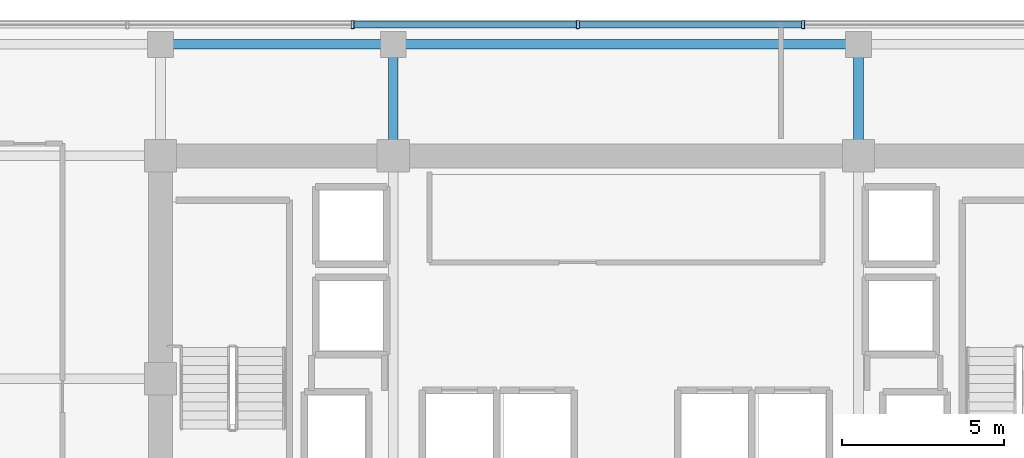
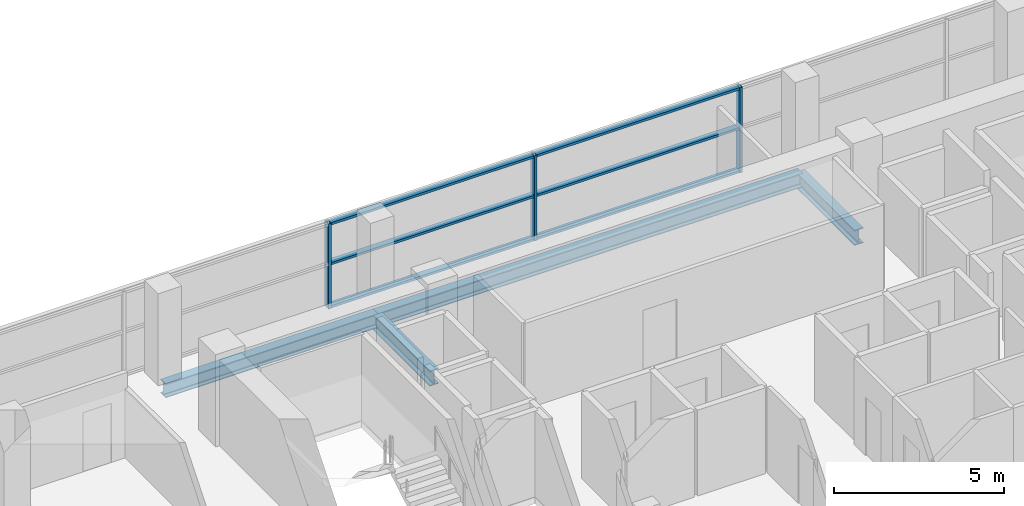
# One storey, part 11 of 23: 9 members, 4 beams, 1 element without a shape of its own.
"""IFC4 building model written with IfcOpenShell, lengths in metres."""

from ifc_helpers import new_model, si_unit, direction, frame, origin, origin_2d, place, context, subcontext, project, spatial, hollow_rectangle, i_section, extrude, source, transform, mapped, material, layer, layer_set, material_profile, profile_set, type_object, element, aggregate, save


model = new_model("IFC4")

# Units and contexts
model_context = context("Model", 3, precision=1e-05, world=origin(), true_north=direction((0.0, 1.0)))
body_context = subcontext(model_context, "Body", "Model", "MODEL_VIEW")
ifc_project = project(units=[si_unit("LENGTHUNIT", "METRE"), si_unit("AREAUNIT", "SQUARE_METRE"), si_unit("VOLUMEUNIT", "CUBIC_METRE"), si_unit("PLANEANGLEUNIT", "RADIAN"), si_unit("MASSUNIT", "GRAM", prefix="KILO")], contexts=[model_context])

# Site, building, storey
site_placement = place(None, origin())
site = spatial("IfcSite", under=ifc_project, at=site_placement, CompositionType="ELEMENT")
building_placement = place(site_placement, origin())
building = spatial("IfcBuilding", under=site, at=building_placement, Name="Zarnakvel Exchange Tower", CompositionType="ELEMENT")
storey_placement = place(building_placement, frame((0.0, 0.0, 129.699951171875)))
storey = spatial("IfcBuildingStorey", under=building, at=storey_placement, Name="L36", CompositionType="ELEMENT", Elevation=129.699951171875)

# Beams
ifc_material_1 = material(Name="Steel S355", Category="steel")
ifc_material_profile_1 = material_profile(ifc_material_1, i_section(OverallWidth=0.300048828125, OverallDepth=0.550048828125, WebThickness=0.014892578125, FlangeThickness=0.029052734375, FilletRadius=0.027099609375, at=origin_2d()))
ifc_profile_set_1 = profile_set([ifc_material_profile_1], Name="Steel S355")
beam_type_1 = type_object("IfcBeamType", Name="G-05", PredefinedType="BEAM", material=ifc_profile_set_1)
for number, where, z_axis, x_axis, name in (
    (1, (-7.199951171875, 13.5, -0.5), (0.0, 1.0, 0.0), (-1.0, 0.0, 0.0), "L36 Tower N-S Frame Beam"),
    (2, (7.199951171875, 13.5, -0.5), (0.0, 1.0, 0.0), (-1.0, 0.0, 0.0), "L36 Tower N-S Frame Beam"),
):
    element("IfcBeam", number, at=place(storey_placement, frame(where, z_axis=z_axis, x_axis=x_axis)), inside=storey, type_object=beam_type_1, Name=name, PredefinedType="BEAM", context=body_context, shape_type="SweptSolid", body=[
        extrude(i_section(OverallWidth=0.300048828125, OverallDepth=0.550048828125, WebThickness=0.014892578125, FlangeThickness=0.029052734375, FilletRadius=0.027099609375, at=origin_2d()), origin(), (0.0, 0.0, 1.0), 3.449951171875),
    ])
ifc_material_profile_2 = material_profile(ifc_material_1, i_section(OverallWidth=0.300048828125, OverallDepth=0.5, WebThickness=0.014404296875, FlangeThickness=0.028076171875, FilletRadius=0.027099609375, at=origin_2d()))
ifc_profile_set_2 = profile_set([ifc_material_profile_2], Name="Steel S355")
beam_type_2 = type_object("IfcBeamType", Name="SP-02", PredefinedType="SPANDREL", material=ifc_profile_set_2)
beam_1_placement = place(storey_placement, frame((-14.39990234375, 16.949951171875, -0.474853515625), z_axis=(1.0, 0.0, 0.0), x_axis=(0.0, 1.0, 0.0)))
element("IfcBeam", 3, at=beam_1_placement, inside=storey, type_object=beam_type_2, Name="L36 Tower E-W Frame Beam", PredefinedType="SPANDREL", context=body_context, shape_type="SweptSolid", body=[
    extrude(i_section(OverallWidth=0.300048828125, OverallDepth=0.5, WebThickness=0.014404296875, FlangeThickness=0.028076171875, FilletRadius=0.027099609375, at=origin_2d()), origin(), (0.0, 0.0, 1.0), 7.199951171875),
])
beam_2_placement = place(storey_placement, frame((-7.199951171875, 16.949951171875, -0.474853515625), z_axis=(1.0, 0.0, 0.0), x_axis=(0.0, 1.0, 0.0)))
element("IfcBeam", 4, at=beam_2_placement, inside=storey, type_object=beam_type_2, Name="L36 Tower E-W Frame Beam", PredefinedType="SPANDREL", context=body_context, shape_type="SweptSolid", body=[
    extrude(i_section(OverallWidth=0.300048828125, OverallDepth=0.5, WebThickness=0.014404296875, FlangeThickness=0.028076171875, FilletRadius=0.027099609375, at=origin_2d()), origin(), (0.0, 0.0, 1.0), 14.39990234375),
])

# Curtain wall, members
ifc_material_2 = material(Name="Architectural Bronze Anodised Aluminium", Category="aluminium")
ifc_layer = layer(ifc_material_2, 0.239990234375)
ifc_layer_set = layer_set([ifc_layer], Name="Architectural Bronze Anodised Aluminium")
curtain_wall_type = type_object("IfcCurtainWallType", Name="CW-02", PredefinedType="NOTDEFINED", material=ifc_layer_set)
curtain_wall_placement = place(storey_placement, origin())
curtain_wall = element("IfcCurtainWall", 5, at=curtain_wall_placement, inside=storey, type_object=curtain_wall_type, Name="L36 Curtain Wall CW-L36-N1 (CW-02)", PredefinedType="NOTDEFINED")
ifc_material_profile_3 = material_profile(ifc_material_2, hollow_rectangle(XDim=0.239990234375, YDim=0.090087890625, WallThickness=0.006103515625, at=origin_2d()))
ifc_profile_set_3 = profile_set([ifc_material_profile_3], Name="Architectural Bronze Anodised Aluminium")
member_type_1 = type_object("IfcMemberType", Name="CWM-02", PredefinedType="MULLION", material=ifc_profile_set_3)
shared_shape_1 = source(origin(), body_context, "Body", "SweptSolid", [
    extrude(hollow_rectangle(XDim=0.239990234375, YDim=0.090087890625, WallThickness=0.006103515625, at=origin_2d()), origin(), (0.0, 0.0, 1.0), 3.054931640625),
])
member_1_placement = place(storey_placement, frame((-8.45703125, 17.56005859375, 0.0), z_axis=(0.0, 0.0, 1.0), x_axis=(0.0, 1.0, 0.0)))
member_1 = element("IfcMember", 6, at=member_1_placement, type_object=member_type_1, Name="CW-02 mullion 3", PredefinedType="MULLION", context=body_context, shape_type="MappedRepresentation", body=[
    mapped(shared_shape_1, transform((0.0, 0.0, 0.0), x_axis=(1.0, 0.0, 0.0), y_axis=(0.0, 1.0, 0.0), z_axis=(0.0, 0.0, 1.0), scale=1.0)),
])
member_2_placement = place(storey_placement, frame((-1.485595703125, 17.56005859375, 0.0), z_axis=(0.0, 0.0, 1.0), x_axis=(0.0, 1.0, 0.0)))
member_2 = element("IfcMember", 7, at=member_2_placement, type_object=member_type_1, Name="CW-02 mullion 4", PredefinedType="MULLION", context=body_context, shape_type="MappedRepresentation", body=[
    mapped(shared_shape_1, transform((0.0, 0.0, 0.0), x_axis=(1.0, 0.0, 0.0), y_axis=(0.0, 1.0, 0.0), z_axis=(0.0, 0.0, 1.0), scale=1.0)),
])
member_3_placement = place(storey_placement, frame((5.485595703125, 17.56005859375, 0.0), z_axis=(0.0, 0.0, 1.0), x_axis=(0.0, 1.0, 0.0)))
member_3 = element("IfcMember", 8, at=member_3_placement, type_object=member_type_1, Name="CW-02 mullion 5", PredefinedType="MULLION", context=body_context, shape_type="MappedRepresentation", body=[
    mapped(shared_shape_1, transform((0.0, 0.0, 0.0), x_axis=(1.0, 0.0, 0.0), y_axis=(0.0, 1.0, 0.0), z_axis=(0.0, 0.0, 1.0), scale=1.0)),
])
ifc_material_profile_4 = material_profile(ifc_material_2, hollow_rectangle(XDim=0.199951171875, YDim=0.0849609375, WallThickness=0.0048828125, at=origin_2d()))
ifc_profile_set_4 = profile_set([ifc_material_profile_4], Name="Architectural Bronze Anodised Aluminium")
member_type_2 = type_object("IfcMemberType", Name="CWT-02", PredefinedType="USERDEFINED", material=ifc_profile_set_4)
shared_shape_2 = source(origin(), body_context, "Body", "SweptSolid", [
    extrude(hollow_rectangle(XDim=0.199951171875, YDim=0.0849609375, WallThickness=0.0048828125, at=origin_2d()), origin(), (0.0, 0.0, 1.0), 6.88134765625),
])
member_4_placement = place(storey_placement, frame((-8.412109375, 17.56005859375, 0.04248046875), z_axis=(1.0, 0.0, 0.0), x_axis=(0.0, 1.0, 0.0)))
member_4 = element("IfcMember", 9, at=member_4_placement, type_object=member_type_2, Name="CW-02 transom 3.1", ObjectType="TRANSOM", PredefinedType="USERDEFINED", context=body_context, shape_type="MappedRepresentation", body=[
    mapped(shared_shape_2, transform((0.0, 0.0, 0.0), x_axis=(1.0, 0.0, 0.0), y_axis=(0.0, 1.0, 0.0), z_axis=(0.0, 0.0, 1.0), scale=1.0)),
])
member_5_placement = place(storey_placement, frame((-8.412109375, 17.56005859375, 1.588623046875), z_axis=(1.0, 0.0, 0.0), x_axis=(0.0, 1.0, 0.0)))
member_5 = element("IfcMember", 10, at=member_5_placement, type_object=member_type_2, Name="CW-02 transom 3.2", ObjectType="TRANSOM", PredefinedType="USERDEFINED", context=body_context, shape_type="MappedRepresentation", body=[
    mapped(shared_shape_2, transform((0.0, 0.0, 0.0), x_axis=(1.0, 0.0, 0.0), y_axis=(0.0, 1.0, 0.0), z_axis=(0.0, 0.0, 1.0), scale=1.0)),
])
member_6_placement = place(storey_placement, frame((-8.412109375, 17.56005859375, 3.012451171875), z_axis=(1.0, 0.0, 0.0), x_axis=(0.0, 1.0, 0.0)))
member_6 = element("IfcMember", 11, at=member_6_placement, type_object=member_type_2, Name="CW-02 transom 3.3", ObjectType="TRANSOM", PredefinedType="USERDEFINED", context=body_context, shape_type="MappedRepresentation", body=[
    mapped(shared_shape_2, transform((0.0, 0.0, 0.0), x_axis=(1.0, 0.0, 0.0), y_axis=(0.0, 1.0, 0.0), z_axis=(0.0, 0.0, 1.0), scale=1.0)),
])
member_7_placement = place(storey_placement, frame((-1.440673828125, 17.56005859375, 0.04248046875), z_axis=(1.0, 0.0, 0.0), x_axis=(0.0, 1.0, 0.0)))
member_7 = element("IfcMember", 12, at=member_7_placement, type_object=member_type_2, Name="CW-02 transom 4.1", ObjectType="TRANSOM", PredefinedType="USERDEFINED", context=body_context, shape_type="MappedRepresentation", body=[
    mapped(shared_shape_2, transform((0.0, 0.0, 0.0), x_axis=(1.0, 0.0, 0.0), y_axis=(0.0, 1.0, 0.0), z_axis=(0.0, 0.0, 1.0), scale=1.0)),
])
member_8_placement = place(storey_placement, frame((-1.440673828125, 17.56005859375, 1.588623046875), z_axis=(1.0, 0.0, 0.0), x_axis=(0.0, 1.0, 0.0)))
member_8 = element("IfcMember", 13, at=member_8_placement, type_object=member_type_2, Name="CW-02 transom 4.2", ObjectType="TRANSOM", PredefinedType="USERDEFINED", context=body_context, shape_type="MappedRepresentation", body=[
    mapped(shared_shape_2, transform((0.0, 0.0, 0.0), x_axis=(1.0, 0.0, 0.0), y_axis=(0.0, 1.0, 0.0), z_axis=(0.0, 0.0, 1.0), scale=1.0)),
])
member_9_placement = place(storey_placement, frame((-1.440673828125, 17.56005859375, 3.012451171875), z_axis=(1.0, 0.0, 0.0), x_axis=(0.0, 1.0, 0.0)))
member_9 = element("IfcMember", 14, at=member_9_placement, type_object=member_type_2, Name="CW-02 transom 4.3", ObjectType="TRANSOM", PredefinedType="USERDEFINED", context=body_context, shape_type="MappedRepresentation", body=[
    mapped(shared_shape_2, transform((0.0, 0.0, 0.0), x_axis=(1.0, 0.0, 0.0), y_axis=(0.0, 1.0, 0.0), z_axis=(0.0, 0.0, 1.0), scale=1.0)),
])
aggregate(curtain_wall, [member_1, member_2, member_3, member_4, member_5, member_6, member_7, member_8, member_9])

save(model, "model.ifc")
